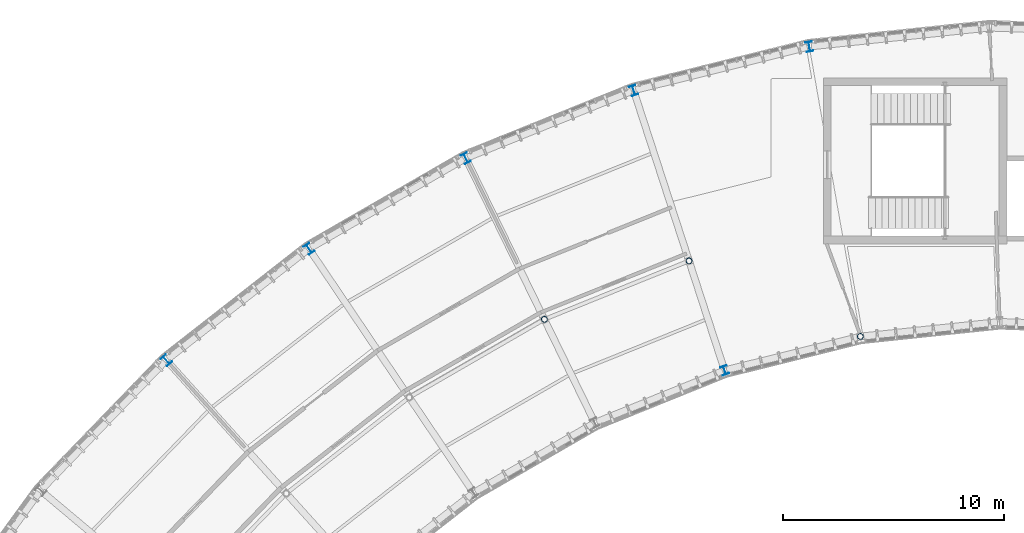
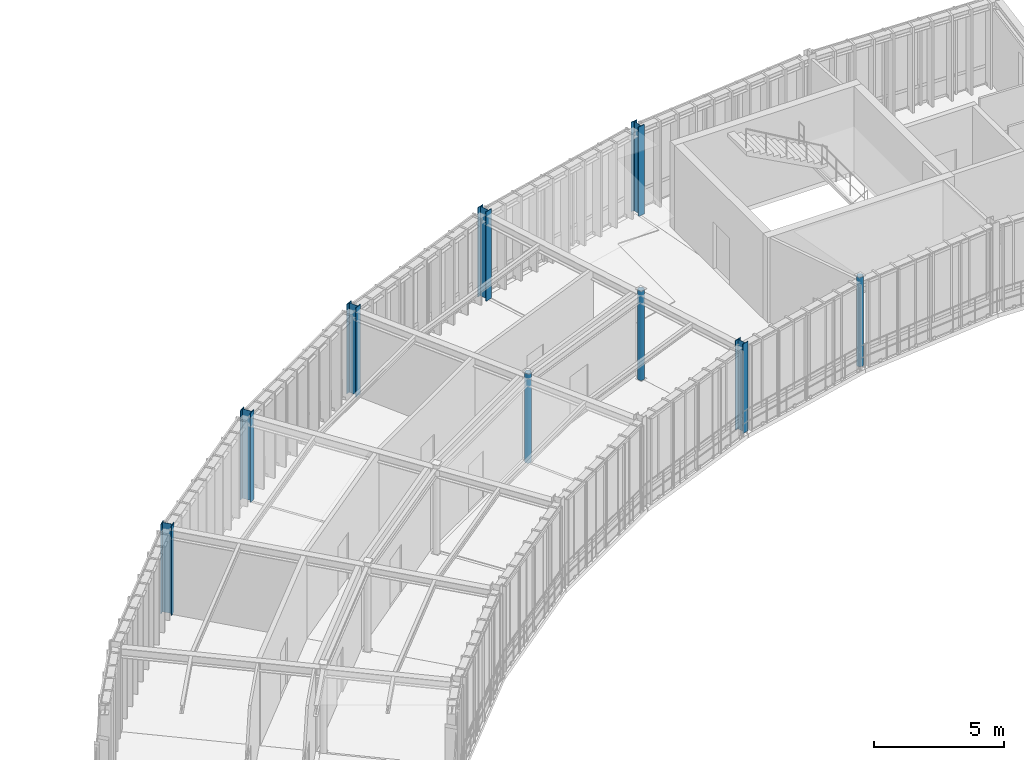
# One storey, part 8 of 52: 9 columns.
"""IFC4 building model written with IfcOpenShell, lengths in metres."""

from ifc_helpers import new_model, si_unit, direction, frame, origin, origin_2d, place, context, subcontext, project, spatial, hollow_circle, i_section, extrude, material, material_profile, profile_set, type_object, element, save


model = new_model("IFC4")

# Units and contexts
model_context = context("Model", 3, precision=1e-05, world=origin(), true_north=direction((0.0, 1.0)))
body_context = subcontext(model_context, "Body", "Model", "MODEL_VIEW")
ifc_project = project(units=[si_unit("LENGTHUNIT", "METRE"), si_unit("AREAUNIT", "SQUARE_METRE"), si_unit("VOLUMEUNIT", "CUBIC_METRE"), si_unit("PLANEANGLEUNIT", "RADIAN"), si_unit("MASSUNIT", "GRAM", prefix="KILO"), si_unit("THERMODYNAMICTEMPERATUREUNIT", "KELVIN"), si_unit("POWERUNIT", "WATT")], contexts=[model_context])

# Site, building, storey
site_placement = place(None, origin())
site = spatial("IfcSite", under=ifc_project, at=site_placement, CompositionType="ELEMENT")
building_placement = place(site_placement, origin())
building = spatial("IfcBuilding", under=site, at=building_placement, Name="Solvatero Civic Police Headquarters", CompositionType="ELEMENT")
storey_placement = place(building_placement, frame((0.0, 0.0, 13.5)))
storey = spatial("IfcBuildingStorey", under=building, at=storey_placement, Name="L03", CompositionType="ELEMENT", Elevation=13.5)

# Columns
ifc_material = material(Name="Steel S355", Category="steel")
ifc_material_profile_1 = material_profile(ifc_material, hollow_circle(Radius=0.136474609375, WallThickness=0.012451171875, at=origin_2d()), Name="CHS 273.0x12.5")
ifc_profile_set_1 = profile_set([ifc_material_profile_1], Name="Steel S355")
column_type_1 = type_object("IfcColumnType", Name="COL-ST-CHS273", PredefinedType="COLUMN", material=ifc_profile_set_1)
for number, where, z_axis, x_axis, name in (
    (1, (86.125, 70.660888671875, 0.0), (0.0, 0.0, 1.0), (0.984807753012, 0.173648177667, 0.0), "Column ARC-S02-IN L03"),
    (2, (78.379150390625, 74.075927734375, 0.0), (0.0, 0.0, 1.0), (0.951056516295, 0.309016994375, 0.0), "Column ARC-S03-MID L03"),
    (3, (71.84033203125, 71.43408203125, 0.0), (0.0, 0.0, 1.0), (0.898794046299, 0.438371146789, 0.0), "Column ARC-S04-MID L03"),
):
    element("IfcColumn", number, at=place(storey_placement, frame(where, z_axis=z_axis, x_axis=x_axis)), inside=storey, type_object=column_type_1, Name=name, PredefinedType="COLUMN", context=body_context, shape_type="SweptSolid", body=[
        extrude(hollow_circle(Radius=0.136474609375, WallThickness=0.012451171875, at=origin_2d()), origin(), (0.0, 0.0, 1.0), 4.199951171875),
    ])
ifc_material_profile_2 = material_profile(ifc_material, i_section(OverallWidth=0.300048828125, OverallDepth=0.39990234375, WebThickness=0.013427734375, FlangeThickness=0.02392578125, FilletRadius=0.027099609375, at=origin_2d()), Name="HEB 400")
ifc_profile_set_2 = profile_set([ifc_material_profile_2], Name="Steel S355")
column_type_2 = type_object("IfcColumnType", Name="COL-ST-HEB400", PredefinedType="COLUMN", material=ifc_profile_set_2)
column_placement = place(storey_placement, frame((79.986083984375, 69.13037109375, 0.0), z_axis=(0.0, 0.0, 1.0), x_axis=(0.951056516295, 0.309016994375, 0.0)))
element("IfcColumn", 4, at=column_placement, inside=storey, type_object=column_type_2, Name="Column ARC-S03-IN L03", PredefinedType="COLUMN", context=body_context, shape_type="SweptSolid", body=[
    extrude(i_section(OverallWidth=0.300048828125, OverallDepth=0.39990234375, WebThickness=0.013427734375, FlangeThickness=0.02392578125, FilletRadius=0.027099609375, at=origin_2d()), origin(), (0.0, 0.0, 1.0), 4.199951171875),
])
ifc_material_profile_3 = material_profile(ifc_material, i_section(OverallWidth=0.300048828125, OverallDepth=0.449951171875, WebThickness=0.013916015625, FlangeThickness=0.02587890625, FilletRadius=0.027099609375, at=origin_2d()), Name="HEB 450")
ifc_profile_set_3 = profile_set([ifc_material_profile_3], Name="Steel S355")
column_type_3 = type_object("IfcColumnType", Name="COL-ST-HEB450", PredefinedType="COLUMN", material=ifc_profile_set_3)
for number, where, z_axis, x_axis, name in (
    (5, (83.8154296875, 83.759033203125, 0.0), (0.0, 0.0, 1.0), (0.984807753012, 0.173648177667, 0.0), "Column ARC-S02-OUT L03"),
    (6, (75.876220703125, 81.779541015625, 0.0), (0.0, 0.0, 1.0), (0.951056516295, 0.309016994375, 0.0), "Column ARC-S03-OUT L03"),
    (7, (68.28955078125, 78.71435546875, 0.0), (0.0, 0.0, 1.0), (0.898794046299, 0.438371146789, 0.0), "Column ARC-S04-OUT L03"),
    (8, (61.203369140625, 74.623046875, 0.0), (0.0, 0.0, 1.0), (0.829037572555, 0.559192903471, 0.0), "Column ARC-S05-OUT L03"),
    (9, (54.755615234375, 69.58544921875, 0.0), (0.0, 0.0, 1.0), (0.743144825477, 0.669130606359, 0.0), "Column ARC-S06-OUT L03"),
):
    element("IfcColumn", number, at=place(storey_placement, frame(where, z_axis=z_axis, x_axis=x_axis)), inside=storey, type_object=column_type_3, Name=name, PredefinedType="COLUMN", context=body_context, shape_type="SweptSolid", body=[
        extrude(i_section(OverallWidth=0.300048828125, OverallDepth=0.449951171875, WebThickness=0.013916015625, FlangeThickness=0.02587890625, FilletRadius=0.027099609375, at=origin_2d()), origin(), (0.0, 0.0, 1.0), 4.199951171875),
    ])

save(model, "model.ifc")
